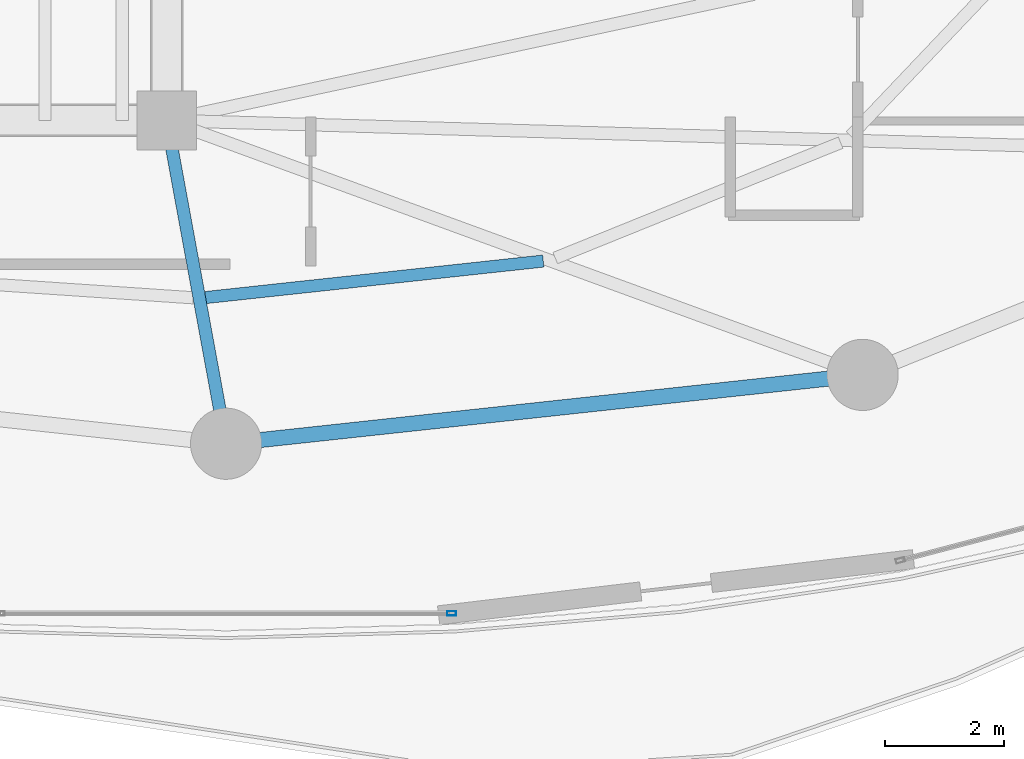
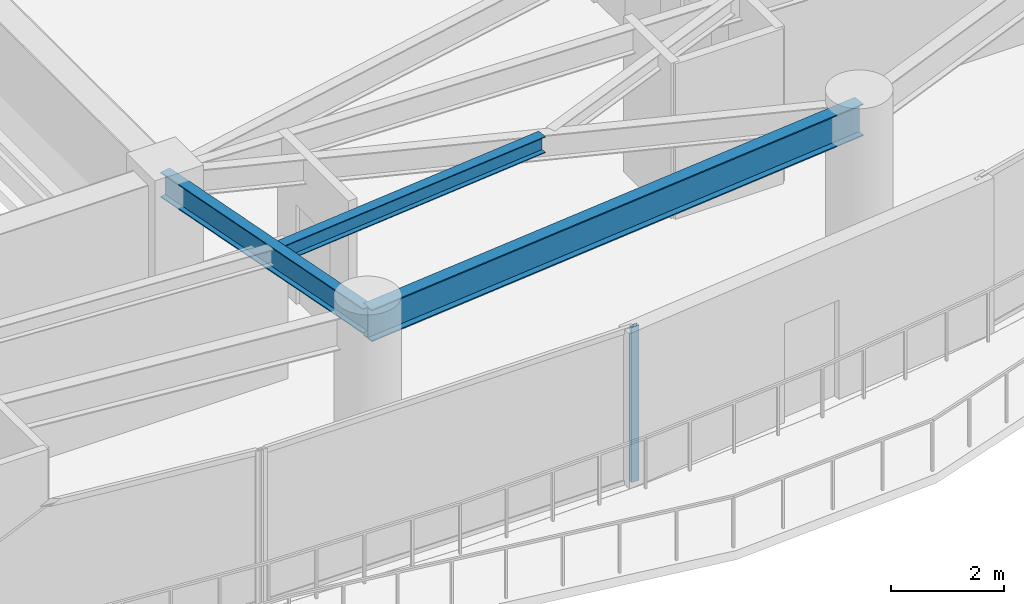
# One storey, part 10 of 33: 3 beams, 1 member, 1 element without a shape of its own.
"""IFC4 building model written with IfcOpenShell, lengths in metres."""

from ifc_helpers import new_model, si_unit, direction, frame, origin, origin_2d, place, context, subcontext, project, spatial, hollow_rectangle, i_section, extrude, material, layer, layer_set, material_profile, profile_set, type_object, element, aggregate, save


model = new_model("IFC4")

# Units and contexts
model_context = context("Model", 3, precision=1e-05, world=origin(), true_north=direction((0.0, 1.0)))
body_context = subcontext(model_context, "Body", "Model", "MODEL_VIEW")
ifc_project = project(units=[si_unit("LENGTHUNIT", "METRE"), si_unit("AREAUNIT", "SQUARE_METRE"), si_unit("VOLUMEUNIT", "CUBIC_METRE"), si_unit("PLANEANGLEUNIT", "RADIAN"), si_unit("MASSUNIT", "GRAM", prefix="KILO")], contexts=[model_context])

# Site, building, storey
site_placement = place(None, origin())
site = spatial("IfcSite", under=ifc_project, at=site_placement, CompositionType="ELEMENT")
building_placement = place(site_placement, origin())
building = spatial("IfcBuilding", under=site, at=building_placement, Name="Kazevale Care Tower and Concert Hall", CompositionType="ELEMENT")
storey_placement = place(building_placement, frame((0.0, 0.0, 145.800048828125)))
storey = spatial("IfcBuildingStorey", under=building, at=storey_placement, Name="L38", CompositionType="ELEMENT", Elevation=145.800048828125)

# Curtain wall, member
ifc_material_1 = material(Name="Aluminium 6063-T6 and Low-E Glass", Category="aluminium")
ifc_layer = layer(ifc_material_1, 0.179931640625)
ifc_layer_set = layer_set([ifc_layer], Name="Aluminium 6063-T6 and Low-E Glass")
curtain_wall_type = type_object("IfcCurtainWallType", Name="Sheltered Concave Balcony Curtain Wall CW-5", PredefinedType="NOTDEFINED", material=ifc_layer_set)
curtain_wall_placement = place(storey_placement, origin())
curtain_wall = element("IfcCurtainWall", 1, at=curtain_wall_placement, inside=storey, type_object=curtain_wall_type, Name="cw:L38:f06", PredefinedType="NOTDEFINED")
ifc_material_2 = material(Name="Aluminium 6063-T6", Category="aluminium")
ifc_material_profile_1 = material_profile(ifc_material_2, hollow_rectangle(XDim=0.074951171875, YDim=0.14990234375, WallThickness=0.00390625, at=origin_2d()), Name="ALU75x150x4")
ifc_profile_set_1 = profile_set([ifc_material_profile_1], Name="Aluminium 6063-T6")
member_type = type_object("IfcMemberType", Name="CW-5 Mullion ALU75x150x4", PredefinedType="MULLION", material=ifc_profile_set_1)
member_placement = place(storey_placement, frame((48.803466796875, 15.2890625, 0.0), z_axis=(0.0, 0.0, 1.0), x_axis=(0.0, -1.0, 0.0)))
member = element("IfcMember", 2, at=member_placement, type_object=member_type, Name="CW-5 mullion 1", PredefinedType="MULLION", context=body_context, shape_type="SweptSolid", body=[
    extrude(hollow_rectangle(XDim=0.074951171875, YDim=0.14990234375, WallThickness=0.00390625, at=origin_2d()), origin(), (0.0, 0.0, 1.0), 3.35986328125),
])
aggregate(curtain_wall, [member])

# Beams
ifc_material_3 = material(Name="Steel ASTM A572 Gr 50", Category="steel")
ifc_material_profile_2 = material_profile(ifc_material_3, i_section(OverallWidth=0.2119140625, OverallDepth=0.5439453125, WebThickness=0.01318359375, FlangeThickness=0.021240234375, at=origin_2d()), Name="W530x123")
ifc_profile_set_2 = profile_set([ifc_material_profile_2], Name="Steel ASTM A572 Gr 50")
beam_type_1 = type_object("IfcBeamType", Name="Radial Floor Girder W530x123", PredefinedType="BEAM", material=ifc_profile_set_2)
beam_1_placement = place(storey_placement, frame((44.0, 23.60009765625, 3.087890625), z_axis=(0.180467114023, -0.983581018908, 0.0), x_axis=(0.983581018908, 0.180467114023, 0.0)))
element("IfcBeam", 3, at=beam_1_placement, inside=storey, type_object=beam_type_1, Name="beam:L38:rad:13", PredefinedType="BEAM", context=body_context, shape_type="SweptSolid", body=[
    extrude(i_section(OverallWidth=0.2119140625, OverallDepth=0.5439453125, WebThickness=0.01318359375, FlangeThickness=0.021240234375, at=origin_2d()), origin(), (0.0, 0.0, 1.0), 5.541259765625),
])
ifc_material_profile_3 = material_profile(ifc_material_3, i_section(OverallWidth=0.205078125, OverallDepth=0.35400390625, WebThickness=0.009521484375, FlangeThickness=0.016845703125, at=origin_2d()), Name="W360x79")
ifc_profile_set_3 = profile_set([ifc_material_profile_3], Name="Steel ASTM A572 Gr 50")
beam_type_2 = type_object("IfcBeamType", Name="Secondary Floor Joist W360x79", PredefinedType="JOIST", material=ifc_profile_set_3)
beam_2_placement = place(storey_placement, frame((44.654052734375, 20.614013671875, 3.182861328125), z_axis=(0.994215541126, 0.107403248482, 0.0), x_axis=(-0.107403248482, 0.994215541126, 0.0)))
element("IfcBeam", 4, at=beam_2_placement, inside=storey, type_object=beam_type_2, Name="beam:L38:joist:13", PredefinedType="JOIST", context=body_context, shape_type="SweptSolid", body=[
    extrude(i_section(OverallWidth=0.205078125, OverallDepth=0.35400390625, WebThickness=0.009521484375, FlangeThickness=0.016845703125, at=origin_2d()), origin(), (0.0, 0.0, 1.0), 5.72607421875),
])
ifc_material_profile_4 = material_profile(ifc_material_3, i_section(OverallWidth=0.256103515625, OverallDepth=0.693115234375, WebThickness=0.014404296875, FlangeThickness=0.023681640625, at=origin_2d()), Name="W690x170")
ifc_profile_set_4 = profile_set([ifc_material_profile_4], Name="Steel ASTM A572 Gr 50")
beam_type_3 = type_object("IfcBeamType", Name="Waist Ring Beam W690x170", PredefinedType="BEAM", material=ifc_profile_set_4)
beam_3_placement = place(storey_placement, frame((45.0, 18.14990234375, 3.013427734375), z_axis=(0.994205479487, 0.107496346724, 0.0), x_axis=(-0.107496346724, 0.994205479487, 0.0)))
element("IfcBeam", 5, at=beam_3_placement, inside=storey, type_object=beam_type_3, Name="beam:L38:ring:13", PredefinedType="BEAM", context=body_context, shape_type="SweptSolid", body=[
    extrude(i_section(OverallWidth=0.256103515625, OverallDepth=0.693115234375, WebThickness=0.014404296875, FlangeThickness=0.023681640625, at=origin_2d()), origin(), (0.0, 0.0, 1.0), 10.79248046875),
])

save(model, "model.ifc")
